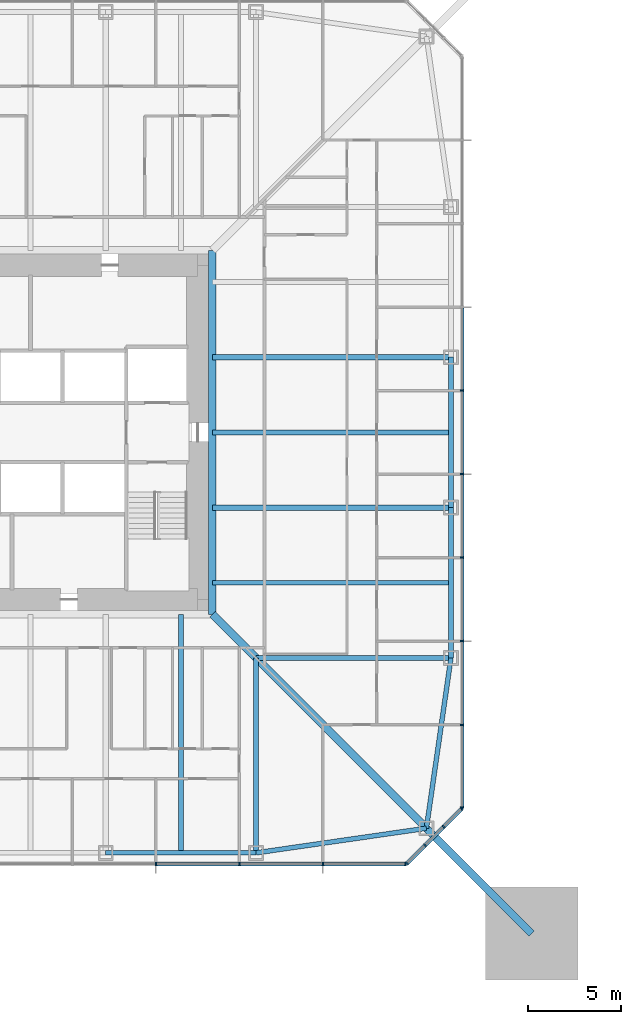
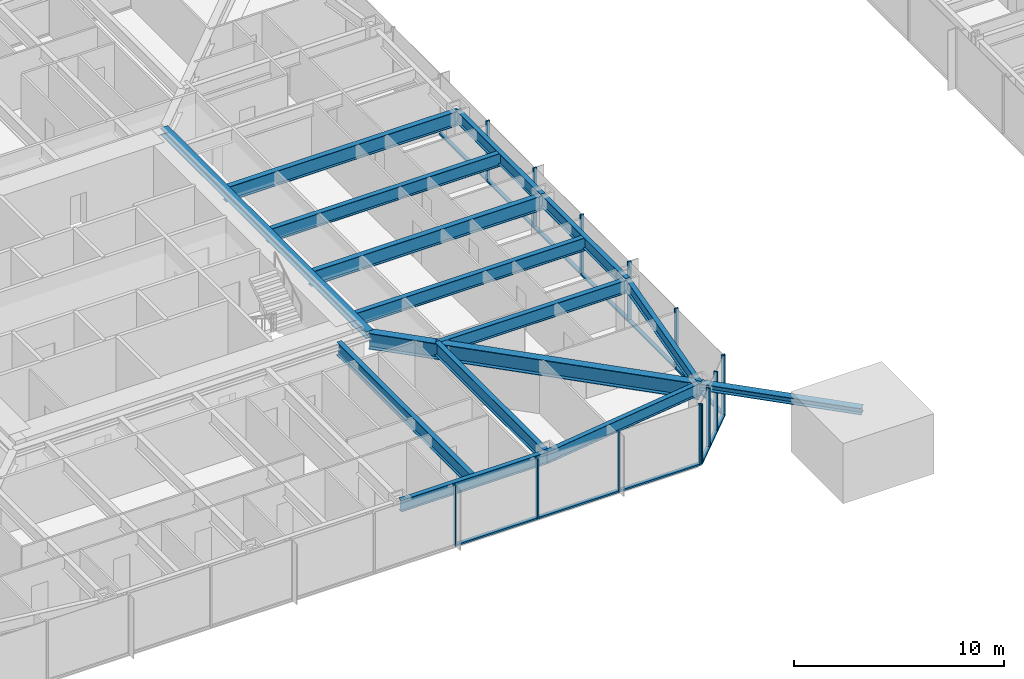
# One storey, part 5 of 26: 27 members, 14 beams, 3 elements without a shape of their own.
"""IFC4 building model written with IfcOpenShell, lengths in metres."""

from ifc_helpers import new_model, si_unit, direction, frame, origin, origin_2d, place, context, subcontext, project, spatial, rectangle, i_section, extrude, material, material_profile, profile_set, type_object, element, aggregate, save


model = new_model("IFC4")

# Units and contexts
model_context = context("Model", 3, precision=1e-05, world=origin(), true_north=direction((0.0, 1.0)))
body_context = subcontext(model_context, "Body", "Model", "MODEL_VIEW")
ifc_project = project(units=[si_unit("LENGTHUNIT", "METRE"), si_unit("AREAUNIT", "SQUARE_METRE"), si_unit("VOLUMEUNIT", "CUBIC_METRE"), si_unit("PLANEANGLEUNIT", "RADIAN"), si_unit("MASSUNIT", "GRAM", prefix="KILO")], contexts=[model_context])

# Site, building, storey
site_placement = place(None, origin())
site = spatial("IfcSite", under=ifc_project, at=site_placement, CompositionType="ELEMENT")
building_placement = place(site_placement, origin())
building = spatial("IfcBuilding", under=site, at=building_placement, Name="Iwan Alto Co-Living Towers", CompositionType="ELEMENT")
storey_placement = place(building_placement, frame((0.0, 0.0, 32.5)))
storey = spatial("IfcBuildingStorey", under=building, at=storey_placement, Name="L08", CompositionType="ELEMENT", Elevation=32.5)

# Curtain wall, members
ifc_material_1 = material(Name="Bronze aluminium unitised frame", Category="aluminium")
curtain_wall_type_1 = type_object("IfcCurtainWallType", Name="CURTAIN WALL CW-A", PredefinedType="NOTDEFINED", material=ifc_material_1)
curtain_wall_1_placement = place(storey_placement, origin())
curtain_wall_1 = element("IfcCurtainWall", 1, at=curtain_wall_1_placement, inside=storey, type_object=curtain_wall_type_1, Name="T1 curtain wall S L08", PredefinedType="NOTDEFINED")
ifc_material_2 = material(Name="Aluminium 6063-T6 bronze anodised", Category="aluminium")
ifc_material_profile_1 = material_profile(ifc_material_2, rectangle(XDim=0.199951171875, YDim=0.080078125, at=origin_2d()), Name="AL 80X200")
ifc_profile_set_1 = profile_set([ifc_material_profile_1], Name="Aluminium 6063-T6 bronze anodised")
member_type_1 = type_object("IfcMemberType", Name="CW-A MULLION 80X200", PredefinedType="MULLION", material=ifc_profile_set_1)
member_1_placement = place(storey_placement, frame((6.75, -23.25, 0.0), z_axis=(0.0, 0.0, 1.0), x_axis=(0.0, 1.0, 0.0)))
member_1 = element("IfcMember", 2, at=member_1_placement, type_object=member_type_1, Name="CW-A mullion 7", PredefinedType="MULLION", context=body_context, shape_type="SweptSolid", body=[
    extrude(rectangle(XDim=0.199951171875, YDim=0.080078125, at=origin_2d()), origin(), (0.0, 0.0, 1.0), 3.5),
])
member_2_placement = place(storey_placement, frame((11.25, -23.25, 0.0), z_axis=(0.0, 0.0, 1.0), x_axis=(0.0, 1.0, 0.0)))
member_2 = element("IfcMember", 3, at=member_2_placement, type_object=member_type_1, Name="CW-A mullion 8", PredefinedType="MULLION", context=body_context, shape_type="SweptSolid", body=[
    extrude(rectangle(XDim=0.199951171875, YDim=0.080078125, at=origin_2d()), origin(), (0.0, 0.0, 1.0), 3.5),
])
member_3_placement = place(storey_placement, frame((15.75, -23.25, 0.0), z_axis=(0.0, 0.0, 1.0), x_axis=(0.0, 1.0, 0.0)))
member_3 = element("IfcMember", 4, at=member_3_placement, type_object=member_type_1, Name="CW-A mullion 9", PredefinedType="MULLION", context=body_context, shape_type="SweptSolid", body=[
    extrude(rectangle(XDim=0.199951171875, YDim=0.080078125, at=origin_2d()), origin(), (0.0, 0.0, 1.0), 3.5),
])
member_4_placement = place(storey_placement, frame((20.2099609375, -23.25, 0.0), z_axis=(0.0, 0.0, 1.0), x_axis=(0.0, 1.0, 0.0)))
member_4 = element("IfcMember", 5, at=member_4_placement, type_object=member_type_1, Name="CW-A mullion 10", PredefinedType="MULLION", context=body_context, shape_type="SweptSolid", body=[
    extrude(rectangle(XDim=0.199951171875, YDim=0.080078125, at=origin_2d()), origin(), (0.0, 0.0, 1.0), 3.5),
])

curtain_wall_2_placement = place(storey_placement, origin())
curtain_wall_2 = element("IfcCurtainWall", 6, at=curtain_wall_2_placement, inside=storey, type_object=curtain_wall_type_1, Name="T1 curtain wall E L08", PredefinedType="NOTDEFINED")
member_5_placement = place(storey_placement, frame((23.25, -20.2099609375, 0.0), z_axis=(0.0, 0.0, 1.0), x_axis=(-1.0, 0.0, 0.0)))
member_5 = element("IfcMember", 7, at=member_5_placement, type_object=member_type_1, Name="CW-A mullion 1", PredefinedType="MULLION", context=body_context, shape_type="SweptSolid", body=[
    extrude(rectangle(XDim=0.199951171875, YDim=0.080078125, at=origin_2d()), origin(), (0.0, 0.0, 1.0), 3.5),
])
member_6_placement = place(storey_placement, frame((23.25, -15.75, 0.0), z_axis=(0.0, 0.0, 1.0), x_axis=(-1.0, 0.0, 0.0)))
member_6 = element("IfcMember", 8, at=member_6_placement, type_object=member_type_1, Name="CW-A mullion 2", PredefinedType="MULLION", context=body_context, shape_type="SweptSolid", body=[
    extrude(rectangle(XDim=0.199951171875, YDim=0.080078125, at=origin_2d()), origin(), (0.0, 0.0, 1.0), 3.5),
])
member_7_placement = place(storey_placement, frame((23.25, -11.25, 0.0), z_axis=(0.0, 0.0, 1.0), x_axis=(-1.0, 0.0, 0.0)))
member_7 = element("IfcMember", 9, at=member_7_placement, type_object=member_type_1, Name="CW-A mullion 3", PredefinedType="MULLION", context=body_context, shape_type="SweptSolid", body=[
    extrude(rectangle(XDim=0.199951171875, YDim=0.080078125, at=origin_2d()), origin(), (0.0, 0.0, 1.0), 3.5),
])
member_8_placement = place(storey_placement, frame((23.25, -6.75, 0.0), z_axis=(0.0, 0.0, 1.0), x_axis=(-1.0, 0.0, 0.0)))
member_8 = element("IfcMember", 10, at=member_8_placement, type_object=member_type_1, Name="CW-A mullion 4", PredefinedType="MULLION", context=body_context, shape_type="SweptSolid", body=[
    extrude(rectangle(XDim=0.199951171875, YDim=0.080078125, at=origin_2d()), origin(), (0.0, 0.0, 1.0), 3.5),
])
member_9_placement = place(storey_placement, frame((23.25, -2.25, 0.0), z_axis=(0.0, 0.0, 1.0), x_axis=(-1.0, 0.0, 0.0)))
member_9 = element("IfcMember", 11, at=member_9_placement, type_object=member_type_1, Name="CW-A mullion 5", PredefinedType="MULLION", context=body_context, shape_type="SweptSolid", body=[
    extrude(rectangle(XDim=0.199951171875, YDim=0.080078125, at=origin_2d()), origin(), (0.0, 0.0, 1.0), 3.5),
])
member_10_placement = place(storey_placement, frame((23.25, 2.25, 0.0), z_axis=(0.0, 0.0, 1.0), x_axis=(-1.0, 0.0, 0.0)))
member_10 = element("IfcMember", 12, at=member_10_placement, type_object=member_type_1, Name="CW-A mullion 6", PredefinedType="MULLION", context=body_context, shape_type="SweptSolid", body=[
    extrude(rectangle(XDim=0.199951171875, YDim=0.080078125, at=origin_2d()), origin(), (0.0, 0.0, 1.0), 3.5),
])

# Member
ifc_material_3 = material(Name="Aluminium 6063-T6 bronze anodised", Category="aluminium")
ifc_material_profile_2 = material_profile(ifc_material_3, rectangle(XDim=0.199951171875, YDim=0.10009765625, at=origin_2d()), Name="AL 200X100")
ifc_profile_set_2 = profile_set([ifc_material_profile_2], Name="Aluminium 6063-T6 bronze anodised")
member_type_2 = type_object("IfcMemberType", Name="CW-A TRANSOM 200X100", PredefinedType="USERDEFINED", material=ifc_profile_set_2)
member_11_placement = place(storey_placement, frame((6.7900390625, -23.25, 0.050048828125), z_axis=(1.0, 0.0, 0.0), x_axis=(0.0, 1.0, 0.0)))
member_11 = element("IfcMember", 13, at=member_11_placement, type_object=member_type_2, Name="CW-A transom 7.1", ObjectType="TRANSOM", PredefinedType="USERDEFINED", context=body_context, shape_type="SweptSolid", body=[
    extrude(rectangle(XDim=0.199951171875, YDim=0.10009765625, at=origin_2d()), origin(), (0.0, 0.0, 1.0), 4.419921875),
])

member_12_placement = place(storey_placement, frame((11.2900390625, -23.25, 0.050048828125), z_axis=(1.0, 0.0, 0.0), x_axis=(0.0, 1.0, 0.0)))
member_12 = element("IfcMember", 14, at=member_12_placement, type_object=member_type_2, Name="CW-A transom 8.1", ObjectType="TRANSOM", PredefinedType="USERDEFINED", context=body_context, shape_type="SweptSolid", body=[
    extrude(rectangle(XDim=0.199951171875, YDim=0.10009765625, at=origin_2d()), origin(), (0.0, 0.0, 1.0), 4.419921875),
])

member_13_placement = place(storey_placement, frame((15.7900390625, -23.25, 0.050048828125), z_axis=(1.0, 0.0, 0.0), x_axis=(0.0, 1.0, 0.0)))
member_13 = element("IfcMember", 15, at=member_13_placement, type_object=member_type_2, Name="CW-A transom 9.1", ObjectType="TRANSOM", PredefinedType="USERDEFINED", context=body_context, shape_type="SweptSolid", body=[
    extrude(rectangle(XDim=0.199951171875, YDim=0.10009765625, at=origin_2d()), origin(), (0.0, 0.0, 1.0), 4.3798828125),
])

aggregate(curtain_wall_1, [member_1, member_2, member_3, member_4, member_11, member_12, member_13])

member_14_placement = place(storey_placement, frame((23.25, -20.169921875, 0.050048828125), z_axis=(0.0, 1.0, 0.0), x_axis=(-1.0, 0.0, 0.0)))
member_14 = element("IfcMember", 16, at=member_14_placement, type_object=member_type_2, Name="CW-A transom 1.1", ObjectType="TRANSOM", PredefinedType="USERDEFINED", context=body_context, shape_type="SweptSolid", body=[
    extrude(rectangle(XDim=0.199951171875, YDim=0.10009765625, at=origin_2d()), origin(), (0.0, 0.0, 1.0), 4.3798828125),
])

member_15_placement = place(storey_placement, frame((23.25, -15.7099609375, 0.050048828125), z_axis=(0.0, 1.0, 0.0), x_axis=(-1.0, 0.0, 0.0)))
member_15 = element("IfcMember", 17, at=member_15_placement, type_object=member_type_2, Name="CW-A transom 2.1", ObjectType="TRANSOM", PredefinedType="USERDEFINED", context=body_context, shape_type="SweptSolid", body=[
    extrude(rectangle(XDim=0.199951171875, YDim=0.10009765625, at=origin_2d()), origin(), (0.0, 0.0, 1.0), 4.419921875),
])

member_16_placement = place(storey_placement, frame((23.25, -11.2099609375, 0.050048828125), z_axis=(0.0, 1.0, 0.0), x_axis=(-1.0, 0.0, 0.0)))
member_16 = element("IfcMember", 18, at=member_16_placement, type_object=member_type_2, Name="CW-A transom 3.1", ObjectType="TRANSOM", PredefinedType="USERDEFINED", context=body_context, shape_type="SweptSolid", body=[
    extrude(rectangle(XDim=0.199951171875, YDim=0.10009765625, at=origin_2d()), origin(), (0.0, 0.0, 1.0), 4.419921875),
])

member_17_placement = place(storey_placement, frame((23.25, -6.7099609375, 0.050048828125), z_axis=(0.0, 1.0, 0.0), x_axis=(-1.0, 0.0, 0.0)))
member_17 = element("IfcMember", 19, at=member_17_placement, type_object=member_type_2, Name="CW-A transom 4.1", ObjectType="TRANSOM", PredefinedType="USERDEFINED", context=body_context, shape_type="SweptSolid", body=[
    extrude(rectangle(XDim=0.199951171875, YDim=0.10009765625, at=origin_2d()), origin(), (0.0, 0.0, 1.0), 4.419921875),
])

member_18_placement = place(storey_placement, frame((23.25, -2.2099609375, 0.050048828125), z_axis=(0.0, 1.0, 0.0), x_axis=(-1.0, 0.0, 0.0)))
member_18 = element("IfcMember", 20, at=member_18_placement, type_object=member_type_2, Name="CW-A transom 5.1", ObjectType="TRANSOM", PredefinedType="USERDEFINED", context=body_context, shape_type="SweptSolid", body=[
    extrude(rectangle(XDim=0.199951171875, YDim=0.10009765625, at=origin_2d()), origin(), (0.0, 0.0, 1.0), 4.419921875),
])

member_19_placement = place(storey_placement, frame((23.25, 2.2900390625, 0.050048828125), z_axis=(0.0, 1.0, 0.0), x_axis=(-1.0, 0.0, 0.0)))
member_19 = element("IfcMember", 21, at=member_19_placement, type_object=member_type_2, Name="CW-A transom 6.1", ObjectType="TRANSOM", PredefinedType="USERDEFINED", context=body_context, shape_type="SweptSolid", body=[
    extrude(rectangle(XDim=0.199951171875, YDim=0.10009765625, at=origin_2d()), origin(), (0.0, 0.0, 1.0), 4.419921875),
])

aggregate(curtain_wall_2, [member_5, member_6, member_7, member_8, member_9, member_10, member_14, member_15, member_16, member_17, member_18, member_19])

# Curtain wall, members
ifc_material_4 = material(Name="Bronze aluminium unitised frame", Category="aluminium")
curtain_wall_type_2 = type_object("IfcCurtainWallType", Name="CURTAIN WALL CW-B", PredefinedType="NOTDEFINED", material=ifc_material_4)
curtain_wall_3_placement = place(storey_placement, origin())
curtain_wall_3 = element("IfcCurtainWall", 22, at=curtain_wall_3_placement, inside=storey, type_object=curtain_wall_type_2, Name="T1 chamfer curtain wall SE L08", PredefinedType="NOTDEFINED")
ifc_material_5 = material(Name="Aluminium 6063-T6 bronze anodised", Category="aluminium")
ifc_material_profile_3 = material_profile(ifc_material_5, rectangle(XDim=0.199951171875, YDim=0.080078125, at=origin_2d()), Name="AL 80X200")
ifc_profile_set_3 = profile_set([ifc_material_profile_3], Name="Aluminium 6063-T6 bronze anodised")
member_type_3 = type_object("IfcMemberType", Name="CW-B MULLION 80X200", PredefinedType="MULLION", material=ifc_profile_set_3)
member_20_placement = place(storey_placement, frame((20.2783203125, -23.2216796875, 0.0), z_axis=(0.0, 0.0, 1.0), x_axis=(-0.707106781187, 0.707106781187, 0.0)))
member_20 = element("IfcMember", 23, at=member_20_placement, type_object=member_type_3, Name="CW-B mullion 1", PredefinedType="MULLION", context=body_context, shape_type="SweptSolid", body=[
    extrude(rectangle(XDim=0.199951171875, YDim=0.080078125, at=origin_2d()), origin(), (0.0, 0.0, 1.0), 3.5),
])
member_21_placement = place(storey_placement, frame((21.25, -22.25, 0.0), z_axis=(0.0, 0.0, 1.0), x_axis=(-0.707106781187, 0.707106781187, 0.0)))
member_21 = element("IfcMember", 24, at=member_21_placement, type_object=member_type_3, Name="CW-B mullion 2", PredefinedType="MULLION", context=body_context, shape_type="SweptSolid", body=[
    extrude(rectangle(XDim=0.199951171875, YDim=0.080078125, at=origin_2d()), origin(), (0.0, 0.0, 1.0), 3.5),
])
member_22_placement = place(storey_placement, frame((22.25, -21.25, 0.0), z_axis=(0.0, 0.0, 1.0), x_axis=(-0.707106781187, 0.707106781187, 0.0)))
member_22 = element("IfcMember", 25, at=member_22_placement, type_object=member_type_3, Name="CW-B mullion 3", PredefinedType="MULLION", context=body_context, shape_type="SweptSolid", body=[
    extrude(rectangle(XDim=0.199951171875, YDim=0.080078125, at=origin_2d()), origin(), (0.0, 0.0, 1.0), 3.5),
])
member_23_placement = place(storey_placement, frame((23.2216796875, -20.2783203125, 0.0), z_axis=(0.0, 0.0, 1.0), x_axis=(-0.707106781187, 0.707106781187, 0.0)))
member_23 = element("IfcMember", 26, at=member_23_placement, type_object=member_type_3, Name="CW-B mullion 4", PredefinedType="MULLION", context=body_context, shape_type="SweptSolid", body=[
    extrude(rectangle(XDim=0.199951171875, YDim=0.080078125, at=origin_2d()), origin(), (0.0, 0.0, 1.0), 3.5),
])
ifc_material_6 = material(Name="Aluminium 6063-T6 bronze anodised", Category="aluminium")
ifc_material_profile_4 = material_profile(ifc_material_6, rectangle(XDim=0.199951171875, YDim=0.10009765625, at=origin_2d()), Name="AL 200X100")
ifc_profile_set_4 = profile_set([ifc_material_profile_4], Name="Aluminium 6063-T6 bronze anodised")
member_type_4 = type_object("IfcMemberType", Name="CW-B TRANSOM 200X100", PredefinedType="USERDEFINED", material=ifc_profile_set_4)
member_24_placement = place(storey_placement, frame((20.306640625, -23.193359375, 0.050048828125), z_axis=(0.707106781187, 0.707106781187, 0.0), x_axis=(-0.707106781187, 0.707106781187, 0.0)))
member_24 = element("IfcMember", 27, at=member_24_placement, type_object=member_type_4, Name="CW-B transom 1.1", ObjectType="TRANSOM", PredefinedType="USERDEFINED", context=body_context, shape_type="SweptSolid", body=[
    extrude(rectangle(XDim=0.199951171875, YDim=0.10009765625, at=origin_2d()), origin(), (0.0, 0.0, 1.0), 1.2939453125),
])
member_25_placement = place(storey_placement, frame((21.2783203125, -22.2216796875, 0.050048828125), z_axis=(0.707106781187, 0.707106781187, 0.0), x_axis=(-0.707106781187, 0.707106781187, 0.0)))
member_25 = element("IfcMember", 28, at=member_25_placement, type_object=member_type_4, Name="CW-B transom 2.1", ObjectType="TRANSOM", PredefinedType="USERDEFINED", context=body_context, shape_type="SweptSolid", body=[
    extrude(rectangle(XDim=0.199951171875, YDim=0.10009765625, at=origin_2d()), origin(), (0.0, 0.0, 1.0), 1.334228515625),
])
member_26_placement = place(storey_placement, frame((22.2783203125, -21.2216796875, 0.050048828125), z_axis=(0.707106781187, 0.707106781187, 0.0), x_axis=(-0.707106781187, 0.707106781187, 0.0)))
member_26 = element("IfcMember", 29, at=member_26_placement, type_object=member_type_4, Name="CW-B transom 3.1", ObjectType="TRANSOM", PredefinedType="USERDEFINED", context=body_context, shape_type="SweptSolid", body=[
    extrude(rectangle(XDim=0.199951171875, YDim=0.10009765625, at=origin_2d()), origin(), (0.0, 0.0, 1.0), 1.2939453125),
])
aggregate(curtain_wall_3, [member_20, member_21, member_22, member_23, member_24, member_25, member_26])

# Beams
ifc_material_7 = material(Name="Steel ASTM A992 Gr 50", Category="steel")
ifc_material_profile_5 = material_profile(ifc_material_7, i_section(OverallWidth=0.40380859375, OverallDepth=0.406494140625, WebThickness=0.027099609375, FlangeThickness=0.043701171875, at=origin_2d()), Name="W14X233")
ifc_profile_set_5 = profile_set([ifc_material_profile_5], Name="Steel ASTM A992 Gr 50")
beam_type_1 = type_object("IfcBeamType", Name="T1 CORE LEDGER BEAM W14X233", PredefinedType="BEAM", material=ifc_profile_set_5)
beam_1_placement = place(storey_placement, frame((9.802001953125, -9.802001953125, 3.06689453125), z_axis=(0.0, 1.0, 0.0), x_axis=(-1.0, 0.0, 0.0)))
element("IfcBeam", 30, at=beam_1_placement, inside=storey, type_object=beam_type_1, Name="T1 core ledger beam E L09", PredefinedType="BEAM", context=body_context, shape_type="SweptSolid", body=[
    extrude(i_section(OverallWidth=0.40380859375, OverallDepth=0.406494140625, WebThickness=0.027099609375, FlangeThickness=0.043701171875, at=origin_2d()), origin(), (0.0, 0.0, 1.0), 19.60400390625),
])
ifc_material_8 = material(Name="Steel ASTM A992 Gr 50", Category="steel")
ifc_material_profile_6 = material_profile(ifc_material_8, i_section(OverallWidth=0.419189453125, OverallDepth=0.927001953125, WebThickness=0.019287109375, FlangeThickness=0.031982421875, at=origin_2d()), Name="W36X231")
ifc_profile_set_6 = profile_set([ifc_material_profile_6], Name="Steel ASTM A992 Gr 50")
beam_type_2 = type_object("IfcBeamType", Name="T1 CORNER GIRDER W36X231", PredefinedType="BEAM", material=ifc_profile_set_6)
beam_2_placement = place(storey_placement, frame((21.32568359375, -21.32568359375, 2.806396484375), z_axis=(-0.707106781187, 0.707106781187, 0.0), x_axis=(-0.707106781187, -0.707106781187, 0.0)))
element("IfcBeam", 31, at=beam_2_placement, inside=storey, type_object=beam_type_2, Name="T1 corner girder CSE L09", PredefinedType="BEAM", context=body_context, shape_type="SweptSolid", body=[
    extrude(i_section(OverallWidth=0.419189453125, OverallDepth=0.927001953125, WebThickness=0.019287109375, FlangeThickness=0.031982421875, at=origin_2d()), origin(), (0.0, 0.0, 1.0), 16.296875),
])
ifc_material_9 = material(Name="Steel ASTM A992 Gr 50", Category="steel")
ifc_material_profile_7 = material_profile(ifc_material_9, i_section(OverallWidth=0.25390625, OverallDepth=0.683349609375, WebThickness=0.012451171875, FlangeThickness=0.018798828125, at=origin_2d()), Name="W27X94")
ifc_profile_set_7 = profile_set([ifc_material_profile_7], Name="Steel ASTM A992 Gr 50")
beam_type_3 = type_object("IfcBeamType", Name="T1 EDGE BEAM W27X94", PredefinedType="BEAM", material=ifc_profile_set_7)
beam_3_placement = place(storey_placement, frame((4.050048828125, -22.64990234375, 2.928466796875), z_axis=(1.0, 0.0, 0.0), x_axis=(0.0, 1.0, 0.0)))
element("IfcBeam", 32, at=beam_3_placement, inside=storey, type_object=beam_type_3, Name="T1 edge beam S3 L09", PredefinedType="BEAM", context=body_context, shape_type="SweptSolid", body=[
    extrude(i_section(OverallWidth=0.25390625, OverallDepth=0.683349609375, WebThickness=0.012451171875, FlangeThickness=0.018798828125, at=origin_2d()), origin(), (0.0, 0.0, 1.0), 8.099853515625),
])
for number, where, z_axis, x_axis, name in (
    (33, (12.14990234375, -22.64990234375, 2.928466796875), (0.989746234347, 0.142836940589, 0.0), (-0.142836940589, 0.989746234347, 0.0), "T1 edge beam S4 L09"),
    (34, (21.32568359375, -21.32568359375, 2.928466796875), (0.142836940589, 0.989746234347, 0.0), (-0.989746234347, 0.142836940589, 0.0), "T1 edge beam CSE L09"),
):
    element("IfcBeam", number, at=place(storey_placement, frame(where, z_axis=z_axis, x_axis=x_axis)), inside=storey, type_object=beam_type_3, Name=name, PredefinedType="BEAM", context=body_context, shape_type="SweptSolid", body=[
        extrude(i_section(OverallWidth=0.25390625, OverallDepth=0.683349609375, WebThickness=0.012451171875, FlangeThickness=0.018798828125, at=origin_2d()), origin(), (0.0, 0.0, 1.0), 9.270751953125),
    ])
beam_4_placement = place(storey_placement, frame((22.64990234375, -12.14990234375, 2.928466796875), z_axis=(0.0, 1.0, 0.0), x_axis=(-1.0, 0.0, 0.0)))
element("IfcBeam", 35, at=beam_4_placement, inside=storey, type_object=beam_type_3, Name="T1 edge beam E1 L09", PredefinedType="BEAM", context=body_context, shape_type="SweptSolid", body=[
    extrude(i_section(OverallWidth=0.25390625, OverallDepth=0.683349609375, WebThickness=0.012451171875, FlangeThickness=0.018798828125, at=origin_2d()), origin(), (0.0, 0.0, 1.0), 8.099853515625),
])
beam_5_placement = place(storey_placement, frame((22.64990234375, -4.050048828125, 2.928466796875), z_axis=(0.0, 1.0, 0.0), x_axis=(-1.0, 0.0, 0.0)))
element("IfcBeam", 36, at=beam_5_placement, inside=storey, type_object=beam_type_3, Name="T1 edge beam E2 L09", PredefinedType="BEAM", context=body_context, shape_type="SweptSolid", body=[
    extrude(i_section(OverallWidth=0.25390625, OverallDepth=0.683349609375, WebThickness=0.012451171875, FlangeThickness=0.018798828125, at=origin_2d()), origin(), (0.0, 0.0, 1.0), 8.10009765625),
])

# Member
ifc_material_10 = material(Name="Steel ASTM A992 Gr 50", Category="steel")
ifc_material_profile_8 = material_profile(ifc_material_10, i_section(OverallWidth=0.393798828125, OverallDepth=0.3759765625, WebThickness=0.017333984375, FlangeThickness=0.027587890625, at=origin_2d()), Name="W14X145")
ifc_profile_set_8 = profile_set([ifc_material_profile_8], Name="Steel ASTM A992 Gr 50")
member_type_5 = type_object("IfcMemberType", Name="T1 MEGA COLUMN FLOOR TIE W14X145", PredefinedType="STRUT", material=ifc_profile_set_8)
member_27_placement = place(storey_placement, frame((27.0, -27.0, 3.08203125), z_axis=(-0.707106781187, 0.707106781187, 0.0), x_axis=(-0.707106781187, -0.707106781187, 0.0)))
element("IfcMember", 37, at=member_27_placement, inside=storey, type_object=member_type_5, Name="T1 mega column floor tie SE L09", PredefinedType="STRUT", context=body_context, shape_type="SweptSolid", body=[
    extrude(i_section(OverallWidth=0.393798828125, OverallDepth=0.3759765625, WebThickness=0.017333984375, FlangeThickness=0.027587890625, at=origin_2d()), origin(), (0.0, 0.0, 1.0), 8.024658203125),
])

# Beams
ifc_material_11 = material(Name="Steel ASTM A992 Gr 50", Category="steel")
ifc_material_profile_9 = material_profile(ifc_material_11, i_section(OverallWidth=0.2666015625, OverallDepth=0.761962890625, WebThickness=0.014404296875, FlangeThickness=0.021484375, at=origin_2d()), Name="W30X116")
ifc_profile_set_9 = profile_set([ifc_material_profile_9], Name="Steel ASTM A992 Gr 50")
beam_type_4 = type_object("IfcBeamType", Name="T1 RADIAL BEAM W30X116", PredefinedType="BEAM", material=ifc_profile_set_9)
for number, where, z_axis, x_axis, name in (
    (38, (12.14990234375, -22.64990234375, 2.888916015625), (0.0, 1.0, 0.0), (-1.0, 0.0, 0.0), "T1 radial beam S4 L09"),
    (39, (22.64990234375, -12.14990234375, 2.888916015625), (-1.0, 0.0, 0.0), (0.0, -1.0, 0.0), "T1 radial beam E1 L09"),
):
    element("IfcBeam", number, at=place(storey_placement, frame(where, z_axis=z_axis, x_axis=x_axis)), inside=storey, type_object=beam_type_4, Name=name, PredefinedType="BEAM", context=body_context, shape_type="SweptSolid", body=[
        extrude(i_section(OverallWidth=0.2666015625, OverallDepth=0.761962890625, WebThickness=0.014404296875, FlangeThickness=0.021484375, at=origin_2d()), origin(), (0.0, 0.0, 1.0), 10.5),
    ])
ifc_material_12 = material(Name="Steel ASTM A992 Gr 50", Category="steel")
ifc_material_profile_10 = material_profile(ifc_material_12, i_section(OverallWidth=0.2919921875, OverallDepth=0.8408203125, WebThickness=0.0146484375, FlangeThickness=0.021728515625, at=origin_2d()), Name="W33X130")
ifc_profile_set_10 = profile_set([ifc_material_profile_10], Name="Steel ASTM A992 Gr 50")
beam_type_5 = type_object("IfcBeamType", Name="T1 RADIAL BEAM W33X130", PredefinedType="BEAM", material=ifc_profile_set_10)
for number, where, z_axis, x_axis, name in (
    (40, (22.64990234375, -4.050048828125, 2.849609375), (-1.0, 0.0, 0.0), (0.0, -1.0, 0.0), "T1 radial beam E2 L09"),
    (41, (22.64990234375, 4.050048828125, 2.849609375), (-1.0, 0.0, 0.0), (0.0, -1.0, 0.0), "T1 radial beam E3 L09"),
):
    element("IfcBeam", number, at=place(storey_placement, frame(where, z_axis=z_axis, x_axis=x_axis)), inside=storey, type_object=beam_type_5, Name=name, PredefinedType="BEAM", context=body_context, shape_type="SweptSolid", body=[
        extrude(i_section(OverallWidth=0.2919921875, OverallDepth=0.8408203125, WebThickness=0.0146484375, FlangeThickness=0.021728515625, at=origin_2d()), origin(), (0.0, 0.0, 1.0), 12.847900390625),
    ])
ifc_material_13 = material(Name="Steel ASTM A992 Gr 50", Category="steel")
ifc_material_profile_11 = material_profile(ifc_material_13, i_section(OverallWidth=0.2666015625, OverallDepth=0.761962890625, WebThickness=0.014404296875, FlangeThickness=0.021484375, at=origin_2d()), Name="W30X116")
ifc_profile_set_11 = profile_set([ifc_material_profile_11], Name="Steel ASTM A992 Gr 50")
beam_type_6 = type_object("IfcBeamType", Name="T1 SECONDARY BEAM W30X116", PredefinedType="JOIST", material=ifc_profile_set_11)
for number, where, z_axis, x_axis, name in (
    (42, (8.10009765625, -22.64990234375, 2.888916015625), (0.0, 1.0, 0.0), (-1.0, 0.0, 0.0), "T1 secondary beam S3 L09"),
    (43, (22.64990234375, -8.10009765625, 2.888916015625), (-1.0, 0.0, 0.0), (0.0, -1.0, 0.0), "T1 secondary beam E1 L09"),
    (44, (22.64990234375, 0.0, 2.888916015625), (-1.0, 0.0, 0.0), (0.0, -1.0, 0.0), "T1 secondary beam E2 L09"),
):
    element("IfcBeam", number, at=place(storey_placement, frame(where, z_axis=z_axis, x_axis=x_axis)), inside=storey, type_object=beam_type_6, Name=name, PredefinedType="JOIST", context=body_context, shape_type="SweptSolid", body=[
        extrude(i_section(OverallWidth=0.2666015625, OverallDepth=0.761962890625, WebThickness=0.014404296875, FlangeThickness=0.021484375, at=origin_2d()), origin(), (0.0, 0.0, 1.0), 12.847900390625),
    ])

save(model, "model.ifc")
